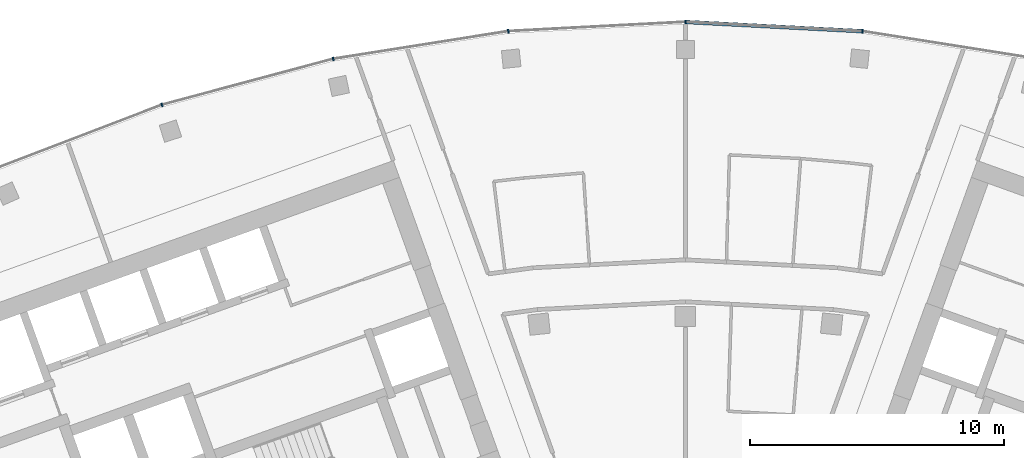
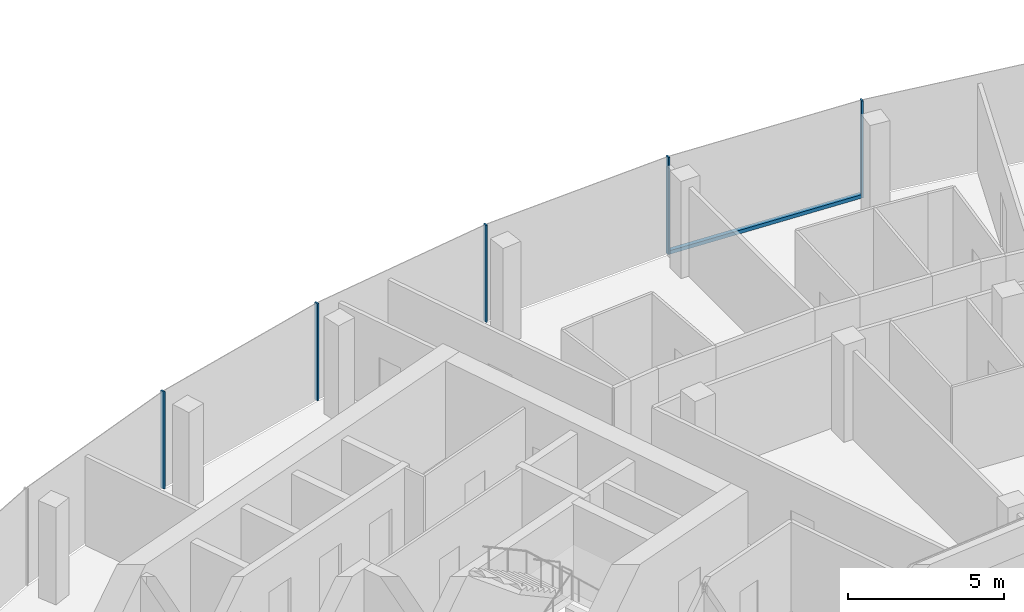
# One storey, part 6 of 18: 6 members, 1 element without a shape of its own.
"""IFC4 building model written with IfcOpenShell, lengths in metres."""

from ifc_helpers import new_model, si_unit, direction, frame, origin, origin_2d, place, context, subcontext, project, spatial, rectangle, extrude, material, layer, layer_set, material_profile, profile_set, type_object, element, aggregate, save


model = new_model("IFC4")

# Units and contexts
model_context = context("Model", 3, precision=1e-05, world=origin(), true_north=direction((0.0, 1.0)))
body_context = subcontext(model_context, "Body", "Model", "MODEL_VIEW")
ifc_project = project(units=[si_unit("LENGTHUNIT", "METRE"), si_unit("AREAUNIT", "SQUARE_METRE"), si_unit("VOLUMEUNIT", "CUBIC_METRE"), si_unit("PLANEANGLEUNIT", "RADIAN"), si_unit("MASSUNIT", "GRAM", prefix="KILO")], contexts=[model_context])

# Site, building, storey
site_placement = place(None, origin())
site = spatial("IfcSite", under=ifc_project, at=site_placement, CompositionType="ELEMENT")
building_placement = place(site_placement, origin())
building = spatial("IfcBuilding", under=site, at=building_placement, Name="Stone Belt Terrace Tower", CompositionType="ELEMENT")
storey_placement = place(building_placement, frame((0.0, 0.0, 273.199951171875)))
storey = spatial("IfcBuildingStorey", under=building, at=storey_placement, Name="L66", CompositionType="ELEMENT", Elevation=273.199951171875)

# Curtain wall, members
ifc_material = material(Name="Aluminium 6063-T6 anodised frame", Category="aluminium")
ifc_layer = layer(ifc_material, 0.14990234375)
ifc_layer_set = layer_set([ifc_layer], Name="CW-A unitised convex-face curtain wall")
curtain_wall_type = type_object("IfcCurtainWallType", Name="CW-A unitised convex-face curtain wall", PredefinedType="NOTDEFINED", material=ifc_layer_set)
curtain_wall_placement = place(storey_placement, origin())
curtain_wall = element("IfcCurtainWall", 1, at=curtain_wall_placement, inside=storey, type_object=curtain_wall_type, Name="CW-A convex face L66", PredefinedType="NOTDEFINED")
ifc_material_profile_1 = material_profile(ifc_material, rectangle(XDim=0.14990234375, YDim=0.06005859375, at=origin_2d()), Name="Aluminium 6063-T6 60x150")
ifc_profile_set_1 = profile_set([ifc_material_profile_1], Name="Aluminium 6063-T6 anodised frame")
member_type_1 = type_object("IfcMemberType", Name="CW-A mullion 60 x 150", PredefinedType="MULLION", material=ifc_profile_set_1)
member_1_placement = place(storey_placement, frame((6.958984375, 66.21044921875, 0.0), z_axis=(0.0, 0.0, 1.0), x_axis=(-0.104528463268, -0.994521895368, 0.0)))
member_1 = element("IfcMember", 2, at=member_1_placement, type_object=member_type_1, Name="CW-A mullion 7", PredefinedType="MULLION", context=body_context, shape_type="SweptSolid", body=[
    extrude(rectangle(XDim=0.14990234375, YDim=0.06005859375, at=origin_2d()), origin(), (0.0, 0.0, 1.0), 3.800048828125),
])
member_2_placement = place(storey_placement, frame((0.0, 66.5751953125, 0.0), z_axis=(0.0, 0.0, 1.0), x_axis=(0.0, -1.0, 0.0)))
member_2 = element("IfcMember", 3, at=member_2_placement, type_object=member_type_1, Name="CW-A mullion 8", PredefinedType="MULLION", context=body_context, shape_type="SweptSolid", body=[
    extrude(rectangle(XDim=0.14990234375, YDim=0.06005859375, at=origin_2d()), origin(), (0.0, 0.0, 1.0), 3.800048828125),
])
member_3_placement = place(storey_placement, frame((-6.958984375, 66.21044921875, 0.0), z_axis=(0.0, 0.0, 1.0), x_axis=(0.104528463268, -0.994521895368, 0.0)))
member_3 = element("IfcMember", 4, at=member_3_placement, type_object=member_type_1, Name="CW-A mullion 9", PredefinedType="MULLION", context=body_context, shape_type="SweptSolid", body=[
    extrude(rectangle(XDim=0.14990234375, YDim=0.06005859375, at=origin_2d()), origin(), (0.0, 0.0, 1.0), 3.800048828125),
])
member_4_placement = place(storey_placement, frame((-13.841796875, 65.120361328125, 0.0), z_axis=(0.0, 0.0, 1.0), x_axis=(0.207911690818, -0.978147600734, 0.0)))
member_4 = element("IfcMember", 5, at=member_4_placement, type_object=member_type_1, Name="CW-A mullion 10", PredefinedType="MULLION", context=body_context, shape_type="SweptSolid", body=[
    extrude(rectangle(XDim=0.14990234375, YDim=0.06005859375, at=origin_2d()), origin(), (0.0, 0.0, 1.0), 3.800048828125),
])
member_5_placement = place(storey_placement, frame((-20.57275390625, 63.316650390625, 0.0), z_axis=(0.0, 0.0, 1.0), x_axis=(0.309016994375, -0.951056516295, 0.0)))
member_5 = element("IfcMember", 6, at=member_5_placement, type_object=member_type_1, Name="CW-A mullion 11", PredefinedType="MULLION", context=body_context, shape_type="SweptSolid", body=[
    extrude(rectangle(XDim=0.14990234375, YDim=0.06005859375, at=origin_2d()), origin(), (0.0, 0.0, 1.0), 3.800048828125),
])
ifc_material_profile_2 = material_profile(ifc_material, rectangle(XDim=0.14990234375, YDim=0.139892578125, at=origin_2d()), Name="Aluminium 6063-T6 150x140")
ifc_profile_set_2 = profile_set([ifc_material_profile_2], Name="Aluminium 6063-T6 anodised frame")
member_type_2 = type_object("IfcMemberType", Name="CW-A transom 140 x 150", PredefinedType="USERDEFINED", material=ifc_profile_set_2)
member_6_placement = place(storey_placement, frame((6.925048828125, 66.212158203125, 0.070068359375), z_axis=(-0.998630019135, 0.052326712899, 0.0), x_axis=(-0.052326712899, -0.998630019135, 0.0)))
member_6 = element("IfcMember", 7, at=member_6_placement, type_object=member_type_2, Name="CW-A transom 7.1", ObjectType="TRANSOM", PredefinedType="USERDEFINED", context=body_context, shape_type="SweptSolid", body=[
    extrude(rectangle(XDim=0.14990234375, YDim=0.139892578125, at=origin_2d()), origin(), (0.0, 0.0, 1.0), 6.900634765625),
])
aggregate(curtain_wall, [member_1, member_2, member_3, member_4, member_5, member_6])

save(model, "model.ifc")
